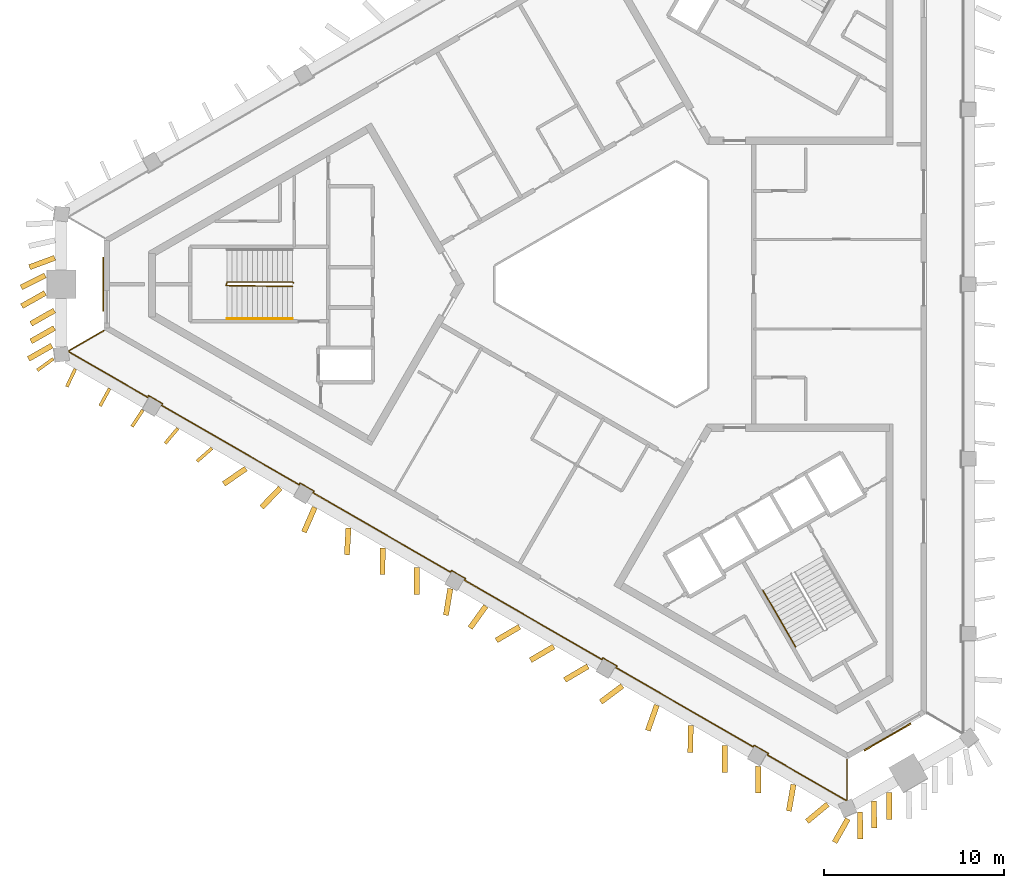
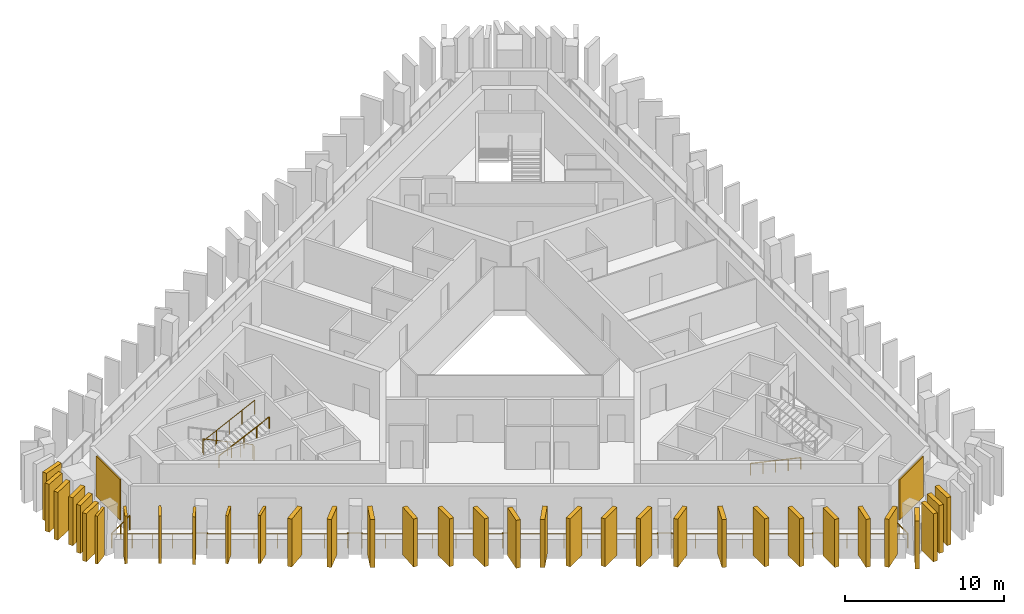
# One storey, part 7 of 9: 34 shading devices, 4 railings, 2 coverings.
"""IFC4 building model written with IfcOpenShell, lengths in metres."""

from ifc_helpers import new_model, si_unit, direction, frame, frame_2d, origin, origin_2d, place, context, subcontext, project, spatial, rectangle, circle, extrude, material, layer, layer_set, type_object, element, save


model = new_model("IFC4")

# Units and contexts
model_context = context("Model", 3, precision=1e-05, world=origin(), true_north=direction((0.0, 1.0)))
body_context = subcontext(model_context, "Body", "Model", "MODEL_VIEW")
ifc_project = project(units=[si_unit("LENGTHUNIT", "METRE"), si_unit("AREAUNIT", "SQUARE_METRE"), si_unit("VOLUMEUNIT", "CUBIC_METRE"), si_unit("PLANEANGLEUNIT", "RADIAN"), si_unit("MASSUNIT", "GRAM", prefix="KILO")], contexts=[model_context])

# Site, building, storey
site_placement = place(None, origin())
site = spatial("IfcSite", under=ifc_project, at=site_placement, CompositionType="ELEMENT")
building_placement = place(site_placement, origin())
building = spatial("IfcBuilding", under=site, at=building_placement, Name="Jabali Bay Hotel Tower and Convention Centre", CompositionType="ELEMENT")
storey_placement = place(building_placement, frame((0.0, 0.0, 273.800048828125)))
storey = spatial("IfcBuildingStorey", under=building, at=storey_placement, Name="L67", CompositionType="ELEMENT", Elevation=273.800048828125)

# Railing
ifc_material_1 = material(Name="Glass", Category="glass")
railing_type_1 = type_object("IfcRailingType", Name="Loggia glass guard 1100", PredefinedType="BALUSTRADE", material=ifc_material_1)
railing_1_placement = place(storey_placement, frame((87.3046875, 53.5224609375, 0.0)))
element("IfcRailing", 1, at=railing_1_placement, inside=storey, type_object=railing_type_1, Name="Loggia glass guard L67", PredefinedType="BALUSTRADE", context=body_context, shape_type="SweptSolid", body=[
    extrude(circle(Radius=0.02490234375, at=origin_2d()), frame((0.0, 0.0, 1.0751953125), z_axis=(0.0, -1.0, 0.0), x_axis=(0.991444861374, 0.0, 0.13052619222)), (0.0, 0.0, 1.0), 2.275146484375),
    extrude(circle(Radius=0.02490234375, at=origin_2d()), frame((0.0, -2.275146484375, 1.0751953125), z_axis=(-0.922495174035, -0.386008618922, 0.0), x_axis=(0.382706261677, -0.914603099939, 0.13052619222)), (0.0, 0.0, 1.0), 0.037353515625),
    extrude(circle(Radius=0.02490234375, at=origin_2d()), frame((-0.034423828125, -2.28955078125, 1.0751953125), z_axis=(-0.866022320763, 0.500005339912, 0.0), x_axis=(-0.495727724915, -0.858613379755, 0.13052619222)), (0.0, 0.0, 1.0), 5.080078125),
    extrude(circle(Radius=0.02490234375, at=origin_2d()), frame((-4.433837890625, 0.25048828125, 1.0751953125), z_axis=(0.501132629342, 0.865370491644, 0.0), x_axis=(-0.857967127125, 0.496845370228, 0.13052619222)), (0.0, 0.0, 1.0), 0.099853515625),
    extrude(circle(Radius=0.02490234375, at=origin_2d()), frame((-4.3837890625, 0.3369140625, 1.0751953125), z_axis=(-0.866013897511, 0.50001992892, 0.0), x_axis=(-0.495742189112, -0.858605028566, 0.13052619222)), (0.0, 0.0, 1.0), 0.89990234375),
    extrude(circle(Radius=0.02490234375, at=origin_2d()), frame((-5.1630859375, 0.786865234375, 1.0751953125), z_axis=(-0.501132629342, -0.865370491644, 0.0), x_axis=(0.857967127125, -0.496845370228, 0.13052619222)), (0.0, 0.0, 1.0), 0.099853515625),
    extrude(circle(Radius=0.02490234375, at=origin_2d()), frame((-5.213134765625, 0.700439453125, 1.0751953125), z_axis=(-0.866031977934, 0.499988613066, 0.0), x_axis=(-0.49571114117, -0.858622954308, 0.13052619222)), (0.0, 0.0, 1.0), 8.840087890625),
    extrude(circle(Radius=0.02490234375, at=origin_2d()), frame((-12.868896484375, 5.120361328125, 1.0751953125), z_axis=(0.500074377092, 0.865982457891, 0.0), x_axis=(-0.858573857916, 0.495796171473, 0.13052619222)), (0.0, 0.0, 1.0), 0.10009765625),
    extrude(circle(Radius=0.02490234375, at=origin_2d()), frame((-12.81884765625, 5.20703125, 1.0751953125), z_axis=(-0.866081705922, 0.499902469156, 0.0), x_axis=(-0.495625734232, -0.858672256866, 0.13052619222)), (0.0, 0.0, 1.0), 0.900146484375),
    extrude(circle(Radius=0.02490234375, at=origin_2d()), frame((-13.598388671875, 5.656982421875, 1.0751953125), z_axis=(-0.4982416694, -0.867038199201, 0.0), x_axis=(0.859620567213, -0.493979142849, 0.13052619222)), (0.0, 0.0, 1.0), 0.099853515625),
    extrude(circle(Radius=0.02490234375, at=origin_2d()), frame((-13.648193359375, 5.5703125, 1.0751953125), z_axis=(-0.866020019271, 0.500009326134, 0.0), x_axis=(-0.495731677035, -0.858611097954, 0.13052619222)), (0.0, 0.0, 1.0), 8.840087890625),
    extrude(circle(Radius=0.02490234375, at=origin_2d()), frame((-21.303955078125, 9.990478515625, 1.0751953125), z_axis=(0.501132629342, 0.865370491644, 0.0), x_axis=(-0.857967127125, 0.496845370228, 0.13052619222)), (0.0, 0.0, 1.0), 0.099853515625),
    extrude(circle(Radius=0.02490234375, at=origin_2d()), frame((-21.25390625, 10.076904296875, 1.0751953125), z_axis=(-0.866081705922, 0.499902469156, 0.0), x_axis=(-0.495625734232, -0.858672256866, 0.13052619222)), (0.0, 0.0, 1.0), 0.900146484375),
    extrude(circle(Radius=0.02490234375, at=origin_2d()), frame((-22.033447265625, 10.52685546875, 1.0751953125), z_axis=(-0.499298623879, -0.866429964967, 0.0), x_axis=(0.859017536507, -0.495027054936, 0.13052619222)), (0.0, 0.0, 1.0), 0.099853515625),
    extrude(circle(Radius=0.02490234375, at=origin_2d()), frame((-22.083251953125, 10.4404296875, 1.0751953125), z_axis=(-0.866031977934, 0.499988613066, 0.0), x_axis=(-0.49571114117, -0.858622954308, 0.13052619222)), (0.0, 0.0, 1.0), 8.840087890625),
    extrude(circle(Radius=0.02490234375, at=origin_2d()), frame((-29.739013671875, 14.8603515625, 1.0751953125), z_axis=(0.500074377092, 0.865982457891, 0.0), x_axis=(-0.858573857916, 0.495796171473, 0.13052619222)), (0.0, 0.0, 1.0), 0.10009765625),
    extrude(circle(Radius=0.02490234375, at=origin_2d()), frame((-29.68896484375, 14.947021484375, 1.0751953125), z_axis=(-0.866081705922, 0.499902469156, 0.0), x_axis=(-0.495625734232, -0.858672256866, 0.13052619222)), (0.0, 0.0, 1.0), 0.900146484375),
    extrude(circle(Radius=0.02490234375, at=origin_2d()), frame((-30.468505859375, 15.39697265625, 1.0751953125), z_axis=(-0.500074377092, -0.865982457891, 0.0), x_axis=(0.858573857916, -0.495796171473, 0.13052619222)), (0.0, 0.0, 1.0), 0.10009765625),
    extrude(circle(Radius=0.02490234375, at=origin_2d()), frame((-30.5185546875, 15.310302734375, 1.0751953125), z_axis=(-0.866013114467, 0.500021285118, 0.0), x_axis=(-0.495743533707, -0.858604252221, 0.13052619222)), (0.0, 0.0, 1.0), 8.83984375),
    extrude(circle(Radius=0.02490234375, at=origin_2d()), frame((-38.174072265625, 19.73046875, 1.0751953125), z_axis=(0.501132629342, 0.865370491644, 0.0), x_axis=(-0.857967127125, 0.496845370228, 0.13052619222)), (0.0, 0.0, 1.0), 0.099853515625),
    extrude(circle(Radius=0.02490234375, at=origin_2d()), frame((-38.1240234375, 19.81689453125, 1.0751953125), z_axis=(-0.865964261186, 0.500105887137, 0.0), x_axis=(-0.495827411944, -0.858555816886, 0.13052619222)), (0.0, 0.0, 1.0), 0.900146484375),
    extrude(circle(Radius=0.02490234375, at=origin_2d()), frame((-38.903564453125, 20.26708984375, 1.0751953125), z_axis=(-0.500074377092, -0.865982457891, 0.0), x_axis=(0.858573857916, -0.495796171473, 0.13052619222)), (0.0, 0.0, 1.0), 0.10009765625),
    extrude(circle(Radius=0.02490234375, at=origin_2d()), frame((-38.95361328125, 20.180419921875, 1.0751953125), z_axis=(-0.866031116496, 0.499990105162, 0.0), x_axis=(-0.495712620501, -0.85862210024, 0.13052619222)), (0.0, 0.0, 1.0), 5.07958984375),
    extrude(circle(Radius=0.02490234375, at=origin_2d()), frame((-43.352783203125, 22.72021484375, 1.0751953125), z_axis=(-0.124034734589, 0.992277876714, 0.0), x_axis=(-0.983788801923, -0.12297360024, 0.13052619222)), (0.0, 0.0, 1.0), 0.037353515625),
    extrude(circle(Radius=0.02490234375, at=origin_2d()), frame((-43.357421875, 22.75732421875, 1.0751953125), z_axis=(0.866035472144, 0.499982560684, 0.0), x_axis=(-0.495705140567, 0.858626418625, 0.13052619222)), (0.0, 0.0, 1.0), 2.27490234375),
    extrude(circle(Radius=0.02001953125, at=origin_2d()), origin(), (0.0, 0.0, 1.0), 1.050048828125),
    extrude(circle(Radius=0.02001953125, at=origin_2d()), frame((0.0, -1.1376953125, 0.0)), (0.0, 0.0, 1.0), 1.050048828125),
    extrude(circle(Radius=0.02001953125, at=origin_2d()), frame((0.0, -2.275146484375, 0.0)), (0.0, 0.0, 1.0), 1.050048828125),
    extrude(circle(Radius=0.02001953125, at=origin_2d()), frame((-0.034423828125, -2.28955078125, 0.0)), (0.0, 0.0, 1.0), 1.050048828125),
    extrude(circle(Radius=0.02001953125, at=origin_2d()), frame((-1.13427734375, -1.654541015625, 0.0)), (0.0, 0.0, 1.0), 1.050048828125),
    extrude(circle(Radius=0.02001953125, at=origin_2d()), frame((-2.234130859375, -1.01953125, 0.0)), (0.0, 0.0, 1.0), 1.050048828125),
    extrude(circle(Radius=0.02001953125, at=origin_2d()), frame((-3.333984375, -0.384521484375, 0.0)), (0.0, 0.0, 1.0), 1.050048828125),
    extrude(circle(Radius=0.02001953125, at=origin_2d()), frame((-4.433837890625, 0.25048828125, 0.0)), (0.0, 0.0, 1.0), 1.050048828125),
    extrude(circle(Radius=0.02001953125, at=origin_2d()), frame((-4.3837890625, 0.3369140625, 0.0)), (0.0, 0.0, 1.0), 1.050048828125),
    extrude(circle(Radius=0.02001953125, at=origin_2d()), frame((-5.1630859375, 0.786865234375, 0.0)), (0.0, 0.0, 1.0), 1.050048828125),
    extrude(circle(Radius=0.02001953125, at=origin_2d()), frame((-5.213134765625, 0.700439453125, 0.0)), (0.0, 0.0, 1.0), 1.050048828125),
    extrude(circle(Radius=0.02001953125, at=origin_2d()), frame((-6.489013671875, 1.43701171875, 0.0)), (0.0, 0.0, 1.0), 1.050048828125),
    extrude(circle(Radius=0.02001953125, at=origin_2d()), frame((-7.76513671875, 2.173828125, 0.0)), (0.0, 0.0, 1.0), 1.050048828125),
    extrude(circle(Radius=0.02001953125, at=origin_2d()), frame((-9.041015625, 2.910400390625, 0.0)), (0.0, 0.0, 1.0), 1.050048828125),
    extrude(circle(Radius=0.02001953125, at=origin_2d()), frame((-10.31689453125, 3.64697265625, 0.0)), (0.0, 0.0, 1.0), 1.050048828125),
    extrude(circle(Radius=0.02001953125, at=origin_2d()), frame((-11.593017578125, 4.3837890625, 0.0)), (0.0, 0.0, 1.0), 1.050048828125),
    extrude(circle(Radius=0.02001953125, at=origin_2d()), frame((-12.868896484375, 5.120361328125, 0.0)), (0.0, 0.0, 1.0), 1.050048828125),
    extrude(circle(Radius=0.02001953125, at=origin_2d()), frame((-12.81884765625, 5.20703125, 0.0)), (0.0, 0.0, 1.0), 1.050048828125),
    extrude(circle(Radius=0.02001953125, at=origin_2d()), frame((-13.598388671875, 5.656982421875, 0.0)), (0.0, 0.0, 1.0), 1.050048828125),
    extrude(circle(Radius=0.02001953125, at=origin_2d()), frame((-13.648193359375, 5.5703125, 0.0)), (0.0, 0.0, 1.0), 1.050048828125),
    extrude(circle(Radius=0.02001953125, at=origin_2d()), frame((-14.924072265625, 6.30712890625, 0.0)), (0.0, 0.0, 1.0), 1.050048828125),
    extrude(circle(Radius=0.02001953125, at=origin_2d()), frame((-16.2001953125, 7.043701171875, 0.0)), (0.0, 0.0, 1.0), 1.050048828125),
    extrude(circle(Radius=0.02001953125, at=origin_2d()), frame((-17.47607421875, 7.7802734375, 0.0)), (0.0, 0.0, 1.0), 1.050048828125),
    extrude(circle(Radius=0.02001953125, at=origin_2d()), frame((-18.751953125, 8.51708984375, 0.0)), (0.0, 0.0, 1.0), 1.050048828125),
    extrude(circle(Radius=0.02001953125, at=origin_2d()), frame((-20.028076171875, 9.25390625, 0.0)), (0.0, 0.0, 1.0), 1.050048828125),
    extrude(circle(Radius=0.02001953125, at=origin_2d()), frame((-21.303955078125, 9.990478515625, 0.0)), (0.0, 0.0, 1.0), 1.050048828125),
    extrude(circle(Radius=0.02001953125, at=origin_2d()), frame((-21.25390625, 10.076904296875, 0.0)), (0.0, 0.0, 1.0), 1.050048828125),
    extrude(circle(Radius=0.02001953125, at=origin_2d()), frame((-22.033447265625, 10.52685546875, 0.0)), (0.0, 0.0, 1.0), 1.050048828125),
    extrude(circle(Radius=0.02001953125, at=origin_2d()), frame((-22.083251953125, 10.4404296875, 0.0)), (0.0, 0.0, 1.0), 1.050048828125),
    extrude(circle(Radius=0.02001953125, at=origin_2d()), frame((-23.359130859375, 11.177001953125, 0.0)), (0.0, 0.0, 1.0), 1.050048828125),
    extrude(circle(Radius=0.02001953125, at=origin_2d()), frame((-24.63525390625, 11.913818359375, 0.0)), (0.0, 0.0, 1.0), 1.050048828125),
    extrude(circle(Radius=0.02001953125, at=origin_2d()), frame((-25.9111328125, 12.650390625, 0.0)), (0.0, 0.0, 1.0), 1.050048828125),
    extrude(circle(Radius=0.02001953125, at=origin_2d()), frame((-27.18701171875, 13.386962890625, 0.0)), (0.0, 0.0, 1.0), 1.050048828125),
    extrude(circle(Radius=0.02001953125, at=origin_2d()), frame((-28.463134765625, 14.123779296875, 0.0)), (0.0, 0.0, 1.0), 1.050048828125),
    extrude(circle(Radius=0.02001953125, at=origin_2d()), frame((-29.739013671875, 14.8603515625, 0.0)), (0.0, 0.0, 1.0), 1.050048828125),
    extrude(circle(Radius=0.02001953125, at=origin_2d()), frame((-29.68896484375, 14.947021484375, 0.0)), (0.0, 0.0, 1.0), 1.050048828125),
    extrude(circle(Radius=0.02001953125, at=origin_2d()), frame((-30.468505859375, 15.39697265625, 0.0)), (0.0, 0.0, 1.0), 1.050048828125),
    extrude(circle(Radius=0.02001953125, at=origin_2d()), frame((-30.5185546875, 15.310302734375, 0.0)), (0.0, 0.0, 1.0), 1.050048828125),
    extrude(circle(Radius=0.02001953125, at=origin_2d()), frame((-31.79443359375, 16.046875, 0.0)), (0.0, 0.0, 1.0), 1.050048828125),
    extrude(circle(Radius=0.02001953125, at=origin_2d()), frame((-33.0703125, 16.78369140625, 0.0)), (0.0, 0.0, 1.0), 1.050048828125),
    extrude(circle(Radius=0.02001953125, at=origin_2d()), frame((-34.34619140625, 17.5205078125, 0.0)), (0.0, 0.0, 1.0), 1.050048828125),
    extrude(circle(Radius=0.02001953125, at=origin_2d()), frame((-35.622314453125, 18.257080078125, 0.0)), (0.0, 0.0, 1.0), 1.050048828125),
    extrude(circle(Radius=0.02001953125, at=origin_2d()), frame((-36.898193359375, 18.99365234375, 0.0)), (0.0, 0.0, 1.0), 1.050048828125),
    extrude(circle(Radius=0.02001953125, at=origin_2d()), frame((-38.174072265625, 19.73046875, 0.0)), (0.0, 0.0, 1.0), 1.050048828125),
    extrude(circle(Radius=0.02001953125, at=origin_2d()), frame((-38.1240234375, 19.81689453125, 0.0)), (0.0, 0.0, 1.0), 1.050048828125),
    extrude(circle(Radius=0.02001953125, at=origin_2d()), frame((-38.903564453125, 20.26708984375, 0.0)), (0.0, 0.0, 1.0), 1.050048828125),
    extrude(circle(Radius=0.02001953125, at=origin_2d()), frame((-38.95361328125, 20.180419921875, 0.0)), (0.0, 0.0, 1.0), 1.050048828125),
    extrude(circle(Radius=0.02001953125, at=origin_2d()), frame((-40.053466796875, 20.8154296875, 0.0)), (0.0, 0.0, 1.0), 1.050048828125),
    extrude(circle(Radius=0.02001953125, at=origin_2d()), frame((-41.1533203125, 21.4501953125, 0.0)), (0.0, 0.0, 1.0), 1.050048828125),
    extrude(circle(Radius=0.02001953125, at=origin_2d()), frame((-42.2529296875, 22.085205078125, 0.0)), (0.0, 0.0, 1.0), 1.050048828125),
    extrude(circle(Radius=0.02001953125, at=origin_2d()), frame((-43.352783203125, 22.72021484375, 0.0)), (0.0, 0.0, 1.0), 1.050048828125),
    extrude(circle(Radius=0.02001953125, at=origin_2d()), frame((-43.357421875, 22.75732421875, 0.0)), (0.0, 0.0, 1.0), 1.050048828125),
    extrude(circle(Radius=0.02001953125, at=origin_2d()), frame((-42.372314453125, 23.326171875, 0.0)), (0.0, 0.0, 1.0), 1.050048828125),
    extrude(circle(Radius=0.02001953125, at=origin_2d()), frame((-41.38720703125, 23.894775390625, 0.0)), (0.0, 0.0, 1.0), 1.050048828125),
])

# Shading devices
ifc_material_2 = material(Name="Precast concrete C60", Category="concrete")
ifc_layer_1 = layer(ifc_material_2, 0.179931640625)
ifc_layer_set_1 = layer_set([ifc_layer_1], Name="Precast concrete C60")
shading_device_type_1 = type_object("IfcShadingDeviceType", Name="Precast fin 3680 x 1100", PredefinedType="USERDEFINED", material=ifc_layer_set_1)
for number, where, z_axis, x_axis, name in (
    (2, (44.320556640625, 75.279541015625, 0.010009765625), (0.0, 0.0, 1.0), (-0.42730374411, -0.904108129744, 0.0), "Fin L67 062"),
    (3, (46.22900390625, 74.18359375, 0.010009765625), (0.0, 0.0, 1.0), (-0.478369920517, -0.878158424856, 0.0), "Fin L67 063"),
    (4, (48.08056640625, 72.98876953125, 0.010009765625), (0.0, 0.0, 1.0), (-0.544723047392, -0.838616003687, 0.0), "Fin L67 064"),
    (5, (50.0341796875, 71.97119140625, 0.010009765625), (0.0, 0.0, 1.0), (-0.642452498656, -0.7663255098, 0.0), "Fin L67 065"),
    (6, (51.93359375, 70.859130859375, 0.010009765625), (0.0, 0.0, 1.0), (-0.753112686536, -0.657891542261, 0.0), "Fin L67 066"),
):
    element("IfcShadingDevice", number, at=place(storey_placement, frame(where, z_axis=z_axis, x_axis=x_axis)), inside=storey, type_object=shading_device_type_1, Name=name, ObjectType="FIN", PredefinedType="USERDEFINED", context=body_context, shape_type="SweptSolid", body=[
        extrude(rectangle(XDim=1.099853515625, YDim=0.179931640625, at=frame_2d((0.5498046875, 0.0))), origin(), (0.0, 0.0, 1.0), 3.679931640625),
    ])
shading_device_1_placement = place(storey_placement, frame((43.100830078125, 75.848876953125, 0.010009765625), z_axis=(0.0, 0.0, 1.0), x_axis=(-0.81070848787, -0.585450038599, 0.0)))
element("IfcShadingDevice", 7, at=shading_device_1_placement, inside=storey, type_object=shading_device_type_1, Name="Fin L67 097", ObjectType="FIN", PredefinedType="USERDEFINED", context=body_context, shape_type="SweptSolid", body=[
    extrude(rectangle(XDim=1.10009765625, YDim=0.179931640625, at=frame_2d((0.550048828125, 0.0))), origin(), (0.0, 0.0, 1.0), 3.679931640625),
])
ifc_layer_2 = layer(ifc_material_2, 0.300048828125)
ifc_layer_set_2 = layer_set([ifc_layer_2], Name="Precast concrete C60")
shading_device_type_2 = type_object("IfcShadingDeviceType", Name="Precast fin 3680 x 1500", PredefinedType="USERDEFINED", material=ifc_layer_set_2)
for number, where, z_axis, x_axis, name in (
    (8, (43.178466796875, 81.466552734375, 0.010009765625), (0.0, 0.0, 1.0), (-0.937805683615, -0.34716062533, 0.0), "Fin L67 056"),
    (9, (42.65087890625, 80.48876953125, 0.010009765625), (0.0, 0.0, 1.0), (-0.89488246882, -0.446301878775, 0.0), "Fin L67 057"),
):
    element("IfcShadingDevice", number, at=place(storey_placement, frame(where, z_axis=z_axis, x_axis=x_axis)), inside=storey, type_object=shading_device_type_2, Name=name, ObjectType="FIN", PredefinedType="USERDEFINED", context=body_context, shape_type="SweptSolid", body=[
        extrude(rectangle(XDim=1.5, YDim=0.300048828125, at=frame_2d((0.75, 0.0))), origin(), (0.0, 0.0, 1.0), 3.679931640625),
    ])
for number, where, z_axis, x_axis, name in (
    (10, (42.64404296875, 79.51123046875, 0.010009765625), (0.0, 0.0, 1.0), (-0.869870897648, -0.49327945571, 0.0), "Fin L67 058"),
    (11, (43.15673828125, 78.533447265625, 0.010009765625), (0.0, 0.0, 1.0), (-0.869870897648, -0.49327945571, 0.0), "Fin L67 059"),
    (12, (43.15673828125, 77.555908203125, 0.010009765625), (0.0, 0.0, 1.0), (-0.869870897648, -0.49327945571, 0.0), "Fin L67 060"),
    (13, (43.016357421875, 76.578369140625, 0.010009765625), (0.0, 0.0, 1.0), (-0.869801062468, -0.493402585856, 0.0), "Fin L67 061"),
):
    element("IfcShadingDevice", number, at=place(storey_placement, frame(where, z_axis=z_axis, x_axis=x_axis)), inside=storey, type_object=shading_device_type_2, Name=name, ObjectType="FIN", PredefinedType="USERDEFINED", context=body_context, shape_type="SweptSolid", body=[
        extrude(rectangle(XDim=1.500244140625, YDim=0.300048828125, at=frame_2d((0.75, 0.0))), origin(), (0.0, 0.0, 1.0), 3.679931640625),
    ])
for number, where, z_axis, x_axis, name in (
    (14, (53.822021484375, 69.728515625, 0.010009765625), (0.0, 0.0, 1.0), (-0.821382675956, -0.570377506253, 0.0), "Fin L67 067"),
    (15, (55.741943359375, 68.65234375, 0.010009765625), (0.0, 0.0, 1.0), (-0.692968817105, -0.72096755719, 0.0), "Fin L67 068"),
):
    element("IfcShadingDevice", number, at=place(storey_placement, frame(where, z_axis=z_axis, x_axis=x_axis)), inside=storey, type_object=shading_device_type_2, Name=name, ObjectType="FIN", PredefinedType="USERDEFINED", context=body_context, shape_type="SweptSolid", body=[
        extrude(rectangle(XDim=1.499755859375, YDim=0.300048828125, at=frame_2d((0.75, 0.0))), origin(), (0.0, 0.0, 1.0), 3.679931640625),
    ])
for number, where, z_axis, x_axis, name in (
    (16, (57.657470703125, 67.568603515625, 0.010009765625), (0.0, 0.0, 1.0), (-0.400058803742, -0.916489472689, 0.0), "Fin L67 069"),
    (17, (59.538330078125, 66.424560546875, 0.010009765625), (0.0, 0.0, 1.0), (-0.058426268309, -0.998291726487, 0.0), "Fin L67 070"),
    (18, (61.44091796875, 65.318359375, 0.010009765625), (0.0, 0.0, 1.0), (-0.007812261592, -0.999969483819, 0.0), "Fin L67 071"),
    (19, (63.346923828125, 64.2177734375, 0.010009765625), (0.0, 0.0, 1.0), (-0.007812261592, -0.999969483819, 0.0), "Fin L67 072"),
    (20, (65.209716796875, 63.042724609375, 0.010009765625), (0.0, 0.0, 1.0), (-0.163237634517, -0.986586780105, 0.0), "Fin L67 073"),
    (21, (67.188232421875, 62.068115234375, 0.010009765625), (0.0, 0.0, 1.0), (-0.584497663284, -0.811395391665, 0.0), "Fin L67 074"),
    (22, (69.064697265625, 60.91650390625, 0.010009765625), (0.0, 0.0, 1.0), (-0.862210257959, -0.506550561218, 0.0), "Fin L67 075"),
    (23, (70.970703125, 59.816162109375, 0.010009765625), (0.0, 0.0, 1.0), (-0.862139163582, -0.506671552998, 0.0), "Fin L67 076"),
    (24, (72.876708984375, 58.7158203125, 0.010009765625), (0.0, 0.0, 1.0), (-0.862139163582, -0.506671552998, 0.0), "Fin L67 077"),
    (25, (74.790283203125, 57.628662109375, 0.010009765625), (0.0, 0.0, 1.0), (-0.798963688457, -0.601379268455, 0.0), "Fin L67 078"),
):
    element("IfcShadingDevice", number, at=place(storey_placement, frame(where, z_axis=z_axis, x_axis=x_axis)), inside=storey, type_object=shading_device_type_2, Name=name, ObjectType="FIN", PredefinedType="USERDEFINED", context=body_context, shape_type="SweptSolid", body=[
        extrude(rectangle(XDim=1.5, YDim=0.300048828125, at=frame_2d((0.75, 0.0))), origin(), (0.0, 0.0, 1.0), 3.679931640625),
    ])
shading_device_2_placement = place(storey_placement, frame((76.7119140625, 56.55517578125, 0.010009765625), z_axis=(0.0, 0.0, 1.0), x_axis=(-0.333220287695, -0.942849001627, 0.0)))
element("IfcShadingDevice", 26, at=shading_device_2_placement, inside=storey, type_object=shading_device_type_2, Name="Fin L67 079", ObjectType="FIN", PredefinedType="USERDEFINED", context=body_context, shape_type="SweptSolid", body=[
    extrude(rectangle(XDim=1.499755859375, YDim=0.300048828125, at=frame_2d((0.75, 0.0))), origin(), (0.0, 0.0, 1.0), 3.679931640625),
])
for number, where, z_axis, x_axis, name in (
    (27, (78.594482421875, 55.41455078125, 0.010009765625), (0.0, 0.0, 1.0), (-0.007649515767, -0.999970742026, 0.0), "Fin L67 080"),
    (28, (80.50048828125, 54.314208984375, 0.010009765625), (0.0, 0.0, 1.0), (-0.007649515767, -0.999970742026, 0.0), "Fin L67 081"),
    (29, (82.369384765625, 53.149169921875, 0.010009765625), (0.0, 0.0, 1.0), (-0.007649515767, -0.999970742026, 0.0), "Fin L67 082"),
    (30, (84.32373046875, 52.1328125, 0.010009765625), (0.0, 0.0, 1.0), (-0.171863142593, -0.985120835338, 0.0), "Fin L67 083"),
    (31, (86.2294921875, 51.0322265625, 0.010009765625), (0.0, 0.0, 1.0), (-0.768101191487, -0.640328477921, 0.0), "Fin L67 084"),
):
    element("IfcShadingDevice", number, at=place(storey_placement, frame(where, z_axis=z_axis, x_axis=x_axis)), inside=storey, type_object=shading_device_type_2, Name=name, ObjectType="FIN", PredefinedType="USERDEFINED", context=body_context, shape_type="SweptSolid", body=[
        extrude(rectangle(XDim=1.5, YDim=0.300048828125, at=frame_2d((0.75, 0.0))), origin(), (0.0, 0.0, 1.0), 3.679931640625),
    ])
for number, where, z_axis, x_axis, name in (
    (32, (88.028564453125, 50.59033203125, 0.010009765625), (0.0, 0.0, 1.0), (0.007650760936, -0.9999707325, 0.0), "Fin L67 085"),
    (33, (88.804931640625, 51.20068359375, 0.010009765625), (0.0, 0.0, 1.0), (0.007650760936, -0.9999707325, 0.0), "Fin L67 086"),
):
    element("IfcShadingDevice", number, at=place(storey_placement, frame(where, z_axis=z_axis, x_axis=x_axis)), inside=storey, type_object=shading_device_type_2, Name=name, ObjectType="FIN", PredefinedType="USERDEFINED", context=body_context, shape_type="SweptSolid", body=[
        extrude(rectangle(XDim=1.499755859375, YDim=0.300048828125, at=frame_2d((0.75, 0.0))), origin(), (0.0, 0.0, 1.0), 3.679931640625),
    ])
for number, where, z_axis, x_axis, name in (
    (34, (89.651611328125, 51.689697265625, 0.010009765625), (0.0, 0.0, 1.0), (0.007649515767, -0.999970742026, 0.0), "Fin L67 087"),
    (35, (87.354736328125, 50.216796875, 0.010009765625), (0.0, 0.0, 1.0), (-0.493349296078, -0.869831289423, 0.0), "Fin L67 098"),
):
    element("IfcShadingDevice", number, at=place(storey_placement, frame(where, z_axis=z_axis, x_axis=x_axis)), inside=storey, type_object=shading_device_type_2, Name=name, ObjectType="FIN", PredefinedType="USERDEFINED", context=body_context, shape_type="SweptSolid", body=[
        extrude(rectangle(XDim=1.5, YDim=0.300048828125, at=frame_2d((0.75, 0.0))), origin(), (0.0, 0.0, 1.0), 3.679931640625),
    ])

# Coverings
ifc_material_3 = material(Name="Precast concrete C40/50", Category="concrete")
ifc_layer_3 = layer(ifc_material_3, 0.080078125)
ifc_layer_set_3 = layer_set([ifc_layer_3], Name="Precast concrete C40/50")
covering_type = type_object("IfcCoveringType", Name="Relief panel 3000 x 3100", PredefinedType="CLADDING", material=ifc_layer_set_3)
for number, where, z_axis, x_axis, name in (
    (36, (45.87744140625, 80.0, 0.099853515625), (0.0, 0.0, 1.0), (0.0, 1.0, 0.0), "Relief panel L67"),
    (37, (89.561279296875, 54.779052734375, 0.099853515625), (0.0, 0.0, 1.0), (-0.866025374044, -0.500000051512, 0.0), "Relief panel L67"),
):
    element("IfcCovering", number, at=place(storey_placement, frame(where, z_axis=z_axis, x_axis=x_axis)), inside=storey, type_object=covering_type, Name=name, PredefinedType="CLADDING", context=body_context, shape_type="SweptSolid", body=[
        extrude(rectangle(XDim=3.0, YDim=0.080078125, at=origin_2d()), origin(), (0.0, 0.0, 1.0), 3.10009765625),
    ])

# Railings
ifc_material_4 = material(Name="Steel Q355B", Category="steel")
railing_type_2 = type_object("IfcRailingType", Name="Stair guard 1100", PredefinedType="GUARDRAIL", material=ifc_material_4)
railing_2_placement = place(storey_placement, frame((56.469970703125, 80.074951171875, 0.0)))
element("IfcRailing", 38, at=railing_2_placement, inside=storey, type_object=railing_type_2, Name="L67 ST1 stair guard 1", PredefinedType="GUARDRAIL", context=body_context, shape_type="SweptSolid", body=[
    extrude(circle(Radius=0.02392578125, at=origin_2d()), frame((0.0, 0.0, 1.076171875), z_axis=(-0.333993628408, 0.333993628408, 0.881417331555), x_axis=(-0.707106781187, -0.707106781187, 0.0)), (0.0, 0.0, 1.0), 0.14990234375),
    extrude(circle(Radius=0.02392578125, at=origin_2d()), frame((-0.050048828125, 0.050048828125, 1.2080078125), z_axis=(-0.904350763662, 0.0, 0.426789990819), x_axis=(0.0, -1.0, 0.0)), (0.0, 0.0, 1.0), 4.02490234375),
    extrude(circle(Radius=0.02392578125, at=origin_2d()), frame((-3.68994140625, 0.050048828125, 2.92578125), z_axis=(-0.242814311512, -0.970072785993, 0.0), x_axis=(0.970072785993, -0.242814311512, 0.0)), (0.0, 0.0, 1.0), 0.2060546875),
    extrude(circle(Radius=0.02392578125, at=origin_2d()), frame((-3.739990234375, -0.14990234375, 2.92578125), z_axis=(0.893864111827, -0.012124000458, 0.448174026692), x_axis=(0.013562335953, 0.999908027292, 0.0)), (0.0, 0.0, 1.0), 4.128173828125),
    extrude(circle(Radius=0.02099609375, at=origin_2d()), origin(), (0.0, 0.0, 1.0), 1.052001953125),
    extrude(circle(Radius=0.02099609375, at=origin_2d()), frame((-0.050048828125, 0.050048828125, 0.132080078125)), (0.0, 0.0, 1.0), 1.052001953125),
    extrude(circle(Radius=0.02099609375, at=origin_2d()), frame((-0.9599609375, 0.050048828125, 0.5615234375)), (0.0, 0.0, 1.0), 1.052001953125),
    extrude(circle(Radius=0.02099609375, at=origin_2d()), frame((-1.8701171875, 0.050048828125, 0.990966796875)), (0.0, 0.0, 1.0), 1.052001953125),
    extrude(circle(Radius=0.02099609375, at=origin_2d()), frame((-2.780029296875, 0.050048828125, 1.42041015625)), (0.0, 0.0, 1.0), 1.052001953125),
    extrude(circle(Radius=0.02099609375, at=origin_2d()), frame((-3.68994140625, 0.050048828125, 1.849853515625)), (0.0, 0.0, 1.0), 1.052001953125),
    extrude(circle(Radius=0.02099609375, at=origin_2d()), frame((-3.739990234375, -0.14990234375, 1.849853515625)), (0.0, 0.0, 1.0), 1.052001953125),
    extrude(circle(Radius=0.02099609375, at=origin_2d()), frame((-2.8173828125, -0.162353515625, 2.3125)), (0.0, 0.0, 1.0), 1.052001953125),
    extrude(circle(Radius=0.02099609375, at=origin_2d()), frame((-1.89501953125, -0.1748046875, 2.77490234375)), (0.0, 0.0, 1.0), 1.052001953125),
    extrude(circle(Radius=0.02099609375, at=origin_2d()), frame((-0.97265625, -0.1875, 3.2373046875)), (0.0, 0.0, 1.0), 1.052001953125),
    extrude(circle(Radius=0.02099609375, at=origin_2d()), frame((-0.050048828125, -0.199951171875, 3.699951171875)), (0.0, 0.0, 1.0), 1.052001953125),
])
railing_type_3 = type_object("IfcRailingType", Name="Stair handrail 900", PredefinedType="HANDRAIL", material=ifc_material_4)
railing_3_placement = place(storey_placement, frame((52.780029296875, 78.074951171875, 1.982177734375)))
element("IfcRailing", 39, at=railing_3_placement, inside=storey, type_object=railing_type_3, Name="L67 ST1 stair handrail 2", PredefinedType="HANDRAIL", context=body_context, shape_type="SweptSolid", body=[
    extrude(circle(Radius=0.02392578125, at=origin_2d()), frame((0.0, 0.0, 0.8759765625), z_axis=(0.904350763662, 0.0, 0.426789990819), x_axis=(0.0, 1.0, 0.0)), (0.0, 0.0, 1.0), 4.02490234375),
    extrude(circle(Radius=0.02099609375, at=origin_2d()), origin(), (0.0, 0.0, 1.0), 0.851806640625),
    extrude(circle(Radius=0.02099609375, at=origin_2d()), frame((0.909912109375, 0.0, 0.429443359375)), (0.0, 0.0, 1.0), 0.851806640625),
    extrude(circle(Radius=0.02099609375, at=origin_2d()), frame((1.81982421875, 0.0, 0.85888671875)), (0.0, 0.0, 1.0), 0.851806640625),
    extrude(circle(Radius=0.02099609375, at=origin_2d()), frame((2.72998046875, 0.0, 1.288330078125)), (0.0, 0.0, 1.0), 0.851806640625),
    extrude(circle(Radius=0.02099609375, at=origin_2d()), frame((3.639892578125, 0.0, 1.7177734375)), (0.0, 0.0, 1.0), 0.851806640625),
])
railing_4_placement = place(storey_placement, frame((82.622802734375, 62.94677734375, 0.132080078125)))
element("IfcRailing", 40, at=railing_4_placement, inside=storey, type_object=railing_type_3, Name="L67 ST3 stair handrail 1", PredefinedType="HANDRAIL", context=body_context, shape_type="SweptSolid", body=[
    extrude(circle(Radius=0.02392578125, at=origin_2d()), frame((0.0, 0.0, 0.8759765625), z_axis=(0.452190331055, -0.783190014029, 0.426775475427), x_axis=(0.866018046521, 0.500012742938, 0.0)), (0.0, 0.0, 1.0), 4.02490234375),
    extrude(circle(Radius=0.02099609375, at=origin_2d()), origin(), (0.0, 0.0, 1.0), 0.851806640625),
    extrude(circle(Radius=0.02099609375, at=origin_2d()), frame((0.455078125, -0.7880859375, 0.429443359375)), (0.0, 0.0, 1.0), 0.851806640625),
    extrude(circle(Radius=0.02099609375, at=origin_2d()), frame((0.91015625, -1.576171875, 0.85888671875)), (0.0, 0.0, 1.0), 0.851806640625),
    extrude(circle(Radius=0.02099609375, at=origin_2d()), frame((1.364990234375, -2.3642578125, 1.288330078125)), (0.0, 0.0, 1.0), 0.851806640625),
    extrude(circle(Radius=0.02099609375, at=origin_2d()), frame((1.820068359375, -3.15234375, 1.7177734375)), (0.0, 0.0, 1.0), 0.851806640625),
])

save(model, "model.ifc")
